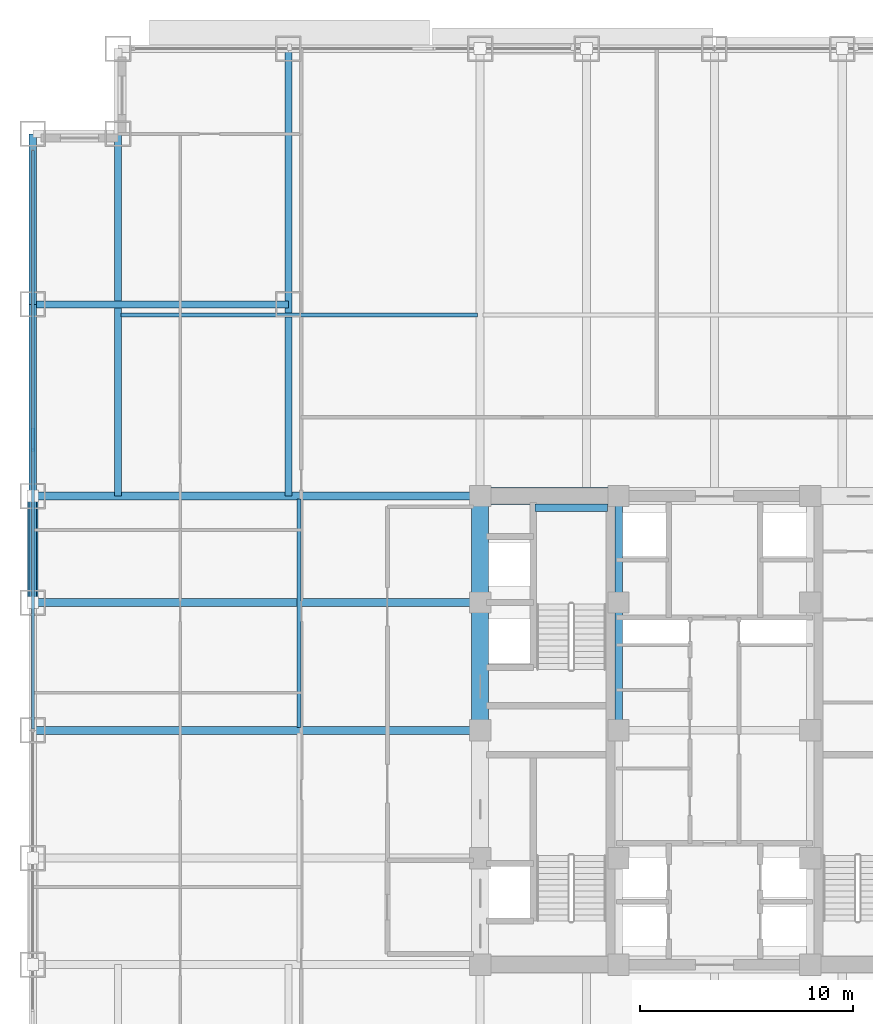
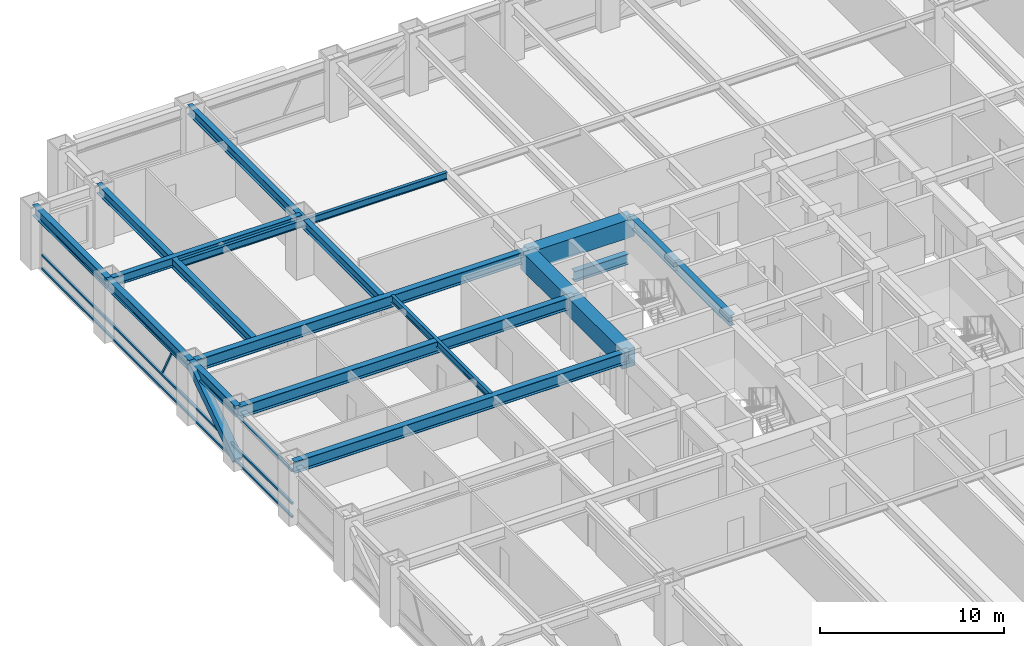
# One storey, part 9 of 32: 17 beams, 5 members, 1 element without a shape of its own.
"""IFC4 building model written with IfcOpenShell, lengths in metres."""

from ifc_helpers import new_model, si_unit, direction, frame, origin, origin_2d, place, context, subcontext, project, spatial, rectangle, hollow_rectangle, i_section, extrude, source, transform, mapped, material, material_profile, profile_set, type_object, element, aggregate, save


model = new_model("IFC4")

# Units and contexts
model_context = context("Model", 3, precision=1e-05, world=origin(), true_north=direction((0.0, 1.0)))
body_context = subcontext(model_context, "Body", "Model", "MODEL_VIEW")
ifc_project = project(units=[si_unit("LENGTHUNIT", "METRE"), si_unit("AREAUNIT", "SQUARE_METRE"), si_unit("VOLUMEUNIT", "CUBIC_METRE"), si_unit("PLANEANGLEUNIT", "RADIAN"), si_unit("MASSUNIT", "GRAM", prefix="KILO")], contexts=[model_context])

# Site, building, storey
site_placement = place(None, origin())
site = spatial("IfcSite", under=ifc_project, at=site_placement, CompositionType="ELEMENT")
building_placement = place(site_placement, origin())
building = spatial("IfcBuilding", under=site, at=building_placement, Name="Khorayat Bourse Tower", CompositionType="ELEMENT")
storey_placement = place(building_placement, frame((0.0, 0.0, 132.39990234375)))
storey = spatial("IfcBuildingStorey", under=building, at=storey_placement, Name="L30", CompositionType="ELEMENT", Elevation=132.39990234375)

# Beams
ifc_material_1 = material(Name="Concrete C72/90", Category="concrete")
ifc_material_profile_1 = material_profile(ifc_material_1, rectangle(XDim=0.800048828125, YDim=1.199951171875, at=origin_2d()), Name="RC 800x1200")
ifc_profile_set_1 = profile_set([ifc_material_profile_1], Name="Concrete C72/90")
beam_type_1 = type_object("IfcBeamType", Name="BM-COUP-1200", PredefinedType="BEAM", material=ifc_profile_set_1)
shared_shape_1 = source(origin(), body_context, "Body", "SweptSolid", [
    extrude(rectangle(XDim=0.800048828125, YDim=1.199951171875, at=origin_2d()), origin(), (0.0, 0.0, 1.0), 5.0),
])
beam_1_placement = place(storey_placement, frame((-11.0, 6.0, 3.239990234375), z_axis=(0.0, 1.0, 0.0), x_axis=(-1.0, 0.0, 0.0)))
element("IfcBeam", 1, at=beam_1_placement, inside=storey, type_object=beam_type_1, Name="L30 BM-COUP-1200 BM-L30-CRX-04", PredefinedType="BEAM", context=body_context, shape_type="MappedRepresentation", body=[
    mapped(shared_shape_1, transform((0.0, 0.0, 0.0), scale=1.0)),
])
shared_shape_2 = source(origin(), body_context, "Body", "SweptSolid", [
    extrude(rectangle(XDim=0.800048828125, YDim=1.199951171875, at=origin_2d()), origin(), (0.0, 0.0, 1.0), 6.0),
])
beam_2_placement = place(storey_placement, frame((-11.0, 0.0, 3.239990234375), z_axis=(0.0, 1.0, 0.0), x_axis=(-1.0, 0.0, 0.0)))
element("IfcBeam", 2, at=beam_2_placement, inside=storey, type_object=beam_type_1, Name="L30 BM-COUP-1200 BM-L30-CRX-03", PredefinedType="BEAM", context=body_context, shape_type="MappedRepresentation", body=[
    mapped(shared_shape_2, transform((0.0, 0.0, 0.0), scale=1.0)),
])
ifc_material_2 = material(Name="Steel ASTM A992 Grade 50", Category="steel")
ifc_material_profile_2 = material_profile(ifc_material_2, i_section(OverallWidth=0.35498046875, OverallDepth=0.695068359375, WebThickness=0.015380859375, FlangeThickness=0.02490234375, FilletRadius=0.01806640625, at=origin_2d()), Name="W690X217")
ifc_profile_set_2 = profile_set([ifc_material_profile_2], Name="Steel ASTM A992 Grade 50")
beam_type_2 = type_object("IfcBeamType", Name="BM-GIRD-690", PredefinedType="BEAM", material=ifc_profile_set_2)
shared_shape_3 = source(origin(), body_context, "Body", "SweptSolid", [
    extrude(i_section(OverallWidth=0.35498046875, OverallDepth=0.695068359375, WebThickness=0.015380859375, FlangeThickness=0.02490234375, FilletRadius=0.01806640625, at=origin_2d()), origin(), (0.0, 0.0, 1.0), 5.0),
])
beam_3_placement = place(storey_placement, frame((-4.5, 6.0, 3.49267578125), z_axis=(0.0, 1.0, 0.0), x_axis=(-1.0, 0.0, 0.0)))
element("IfcBeam", 3, at=beam_3_placement, inside=storey, type_object=beam_type_2, Name="L30 BM-GIRD-690 BM-L30-CRX-08", PredefinedType="BEAM", context=body_context, shape_type="MappedRepresentation", body=[
    mapped(shared_shape_3, transform((0.0, 0.0, 0.0), scale=1.0)),
])
shared_shape_4 = source(origin(), body_context, "Body", "SweptSolid", [
    extrude(i_section(OverallWidth=0.35498046875, OverallDepth=0.695068359375, WebThickness=0.015380859375, FlangeThickness=0.02490234375, FilletRadius=0.01806640625, at=origin_2d()), origin(), (0.0, 0.0, 1.0), 6.0),
])
beam_4_placement = place(storey_placement, frame((-4.5, 0.0, 3.49267578125), z_axis=(0.0, 1.0, 0.0), x_axis=(-1.0, 0.0, 0.0)))
element("IfcBeam", 4, at=beam_4_placement, inside=storey, type_object=beam_type_2, Name="L30 BM-GIRD-690 BM-L30-CRX-07", PredefinedType="BEAM", context=body_context, shape_type="MappedRepresentation", body=[
    mapped(shared_shape_4, transform((0.0, 0.0, 0.0), scale=1.0)),
])
shared_shape_5 = source(origin(), body_context, "Body", "SweptSolid", [
    extrude(rectangle(XDim=0.800048828125, YDim=1.199951171875, at=origin_2d()), origin(), (0.0, 0.0, 1.0), 6.5),
])
beam_5_placement = place(storey_placement, frame((-11.0, 11.0, 3.239990234375), z_axis=(1.0, 0.0, 0.0), x_axis=(0.0, 1.0, 0.0)))
element("IfcBeam", 5, at=beam_5_placement, inside=storey, type_object=beam_type_1, Name="L30 BM-COUP-1200 BM-L30-CRY-20", PredefinedType="BEAM", context=body_context, shape_type="MappedRepresentation", body=[
    mapped(shared_shape_5, transform((0.0, 0.0, 0.0), scale=1.0)),
])
shared_shape_6 = source(origin(), body_context, "Body", "SweptSolid", [
    extrude(i_section(OverallWidth=0.35498046875, OverallDepth=0.695068359375, WebThickness=0.015380859375, FlangeThickness=0.02490234375, FilletRadius=0.01806640625, at=origin_2d()), origin(), (0.0, 0.0, 1.0), 3.39990234375),
])
beam_6_placement = place(storey_placement, frame((-8.419921875, 10.449951171875, 1.502685546875), z_axis=(1.0, 0.0, 0.0), x_axis=(0.0, 1.0, 0.0)))
element("IfcBeam", 6, at=beam_6_placement, inside=storey, type_object=beam_type_2, Name="L30 BM-GIRD-690 BM-L30-ST2L", PredefinedType="BEAM", context=body_context, shape_type="MappedRepresentation", body=[
    mapped(shared_shape_6, transform((0.0, 0.0, 0.0), scale=1.0)),
])
ifc_material_profile_3 = material_profile(ifc_material_2, i_section(OverallWidth=0.35498046875, OverallDepth=0.695068359375, WebThickness=0.015380859375, FlangeThickness=0.02490234375, FilletRadius=0.01806640625, at=origin_2d()), Name="W690X217")
ifc_profile_set_3 = profile_set([ifc_material_profile_3], Name="Steel ASTM A992 Grade 50")
beam_type_3 = type_object("IfcBeamType", Name="BM-SPAN-690", PredefinedType="SPANDREL", material=ifc_profile_set_3)
shared_shape_7 = source(origin(), body_context, "Body", "SweptSolid", [
    extrude(i_section(OverallWidth=0.35498046875, OverallDepth=0.695068359375, WebThickness=0.015380859375, FlangeThickness=0.02490234375, FilletRadius=0.01806640625, at=origin_2d()), origin(), (0.0, 0.0, 1.0), 9.0),
])
beam_7_placement = place(storey_placement, frame((-32.0, 11.0, 3.49267578125), z_axis=(0.0, 1.0, 0.0), x_axis=(-1.0, 0.0, 0.0)))
element("IfcBeam", 7, at=beam_7_placement, inside=storey, type_object=beam_type_3, Name="L30 BM-SPAN-690 BM-L30-SPN-055", PredefinedType="SPANDREL", context=body_context, shape_type="MappedRepresentation", body=[
    mapped(shared_shape_7, transform((0.0, 0.0, 0.0), scale=1.0)),
])
shared_shape_8 = source(origin(), body_context, "Body", "SweptSolid", [
    extrude(i_section(OverallWidth=0.35498046875, OverallDepth=0.695068359375, WebThickness=0.015380859375, FlangeThickness=0.02490234375, FilletRadius=0.01806640625, at=origin_2d()), origin(), (0.0, 0.0, 1.0), 5.0),
])
beam_8_placement = place(storey_placement, frame((-32.0, 6.0, 3.49267578125), z_axis=(0.0, 1.0, 0.0), x_axis=(-1.0, 0.0, 0.0)))
element("IfcBeam", 8, at=beam_8_placement, inside=storey, type_object=beam_type_3, Name="L30 BM-SPAN-690 BM-L30-SPN-056", PredefinedType="SPANDREL", context=body_context, shape_type="MappedRepresentation", body=[
    mapped(shared_shape_8, transform((0.0, 0.0, 0.0), scale=1.0)),
])
ifc_material_profile_4 = material_profile(ifc_material_2, i_section(OverallWidth=0.324951171875, OverallDepth=0.615966796875, WebThickness=0.013916015625, FlangeThickness=0.021484375, FilletRadius=0.01611328125, at=origin_2d()), Name="W610X174")
ifc_profile_set_4 = profile_set([ifc_material_profile_4], Name="Steel ASTM A992 Grade 50")
beam_type_4 = type_object("IfcBeamType", Name="BM-GIRD-610", PredefinedType="BEAM", material=ifc_profile_set_4)
shared_shape_9 = source(origin(), body_context, "Body", "SweptSolid", [
    extrude(i_section(OverallWidth=0.324951171875, OverallDepth=0.615966796875, WebThickness=0.013916015625, FlangeThickness=0.021484375, FilletRadius=0.01611328125, at=origin_2d()), origin(), (0.0, 0.0, 1.0), 21.0),
])
beam_9_placement = place(storey_placement, frame((-20.0, 11.0, 3.531982421875), z_axis=(0.0, 1.0, 0.0), x_axis=(-1.0, 0.0, 0.0)))
element("IfcBeam", 9, at=beam_9_placement, inside=storey, type_object=beam_type_4, Name="L30 BM-GIRD-610 BM-L30-CNRY-085", PredefinedType="BEAM", context=body_context, shape_type="MappedRepresentation", body=[
    mapped(shared_shape_9, transform((0.0, 0.0, 0.0), scale=1.0)),
])
shared_shape_10 = source(origin(), body_context, "Body", "SweptSolid", [
    extrude(i_section(OverallWidth=0.324951171875, OverallDepth=0.615966796875, WebThickness=0.013916015625, FlangeThickness=0.021484375, FilletRadius=0.01611328125, at=origin_2d()), origin(), (0.0, 0.0, 1.0), 12.0),
])
beam_10_placement = place(storey_placement, frame((-32.0, 20.0, 3.531982421875), z_axis=(1.0, 0.0, 0.0), x_axis=(0.0, 1.0, 0.0)))
element("IfcBeam", 10, at=beam_10_placement, inside=storey, type_object=beam_type_4, Name="L30 BM-GIRD-610 BM-L30-CNRX-095", PredefinedType="BEAM", context=body_context, shape_type="MappedRepresentation", body=[
    mapped(shared_shape_10, transform((0.0, 0.0, 0.0), scale=1.0)),
])
ifc_material_profile_5 = material_profile(ifc_material_2, i_section(OverallWidth=0.194091796875, OverallDepth=0.468994140625, WebThickness=0.0126953125, FlangeThickness=0.0205078125, FilletRadius=0.012939453125, at=origin_2d()), Name="W460X106")
ifc_profile_set_5 = profile_set([ifc_material_profile_5], Name="Steel ASTM A992 Grade 50")
beam_type_5 = type_object("IfcBeamType", Name="BM-JOIST-460", PredefinedType="JOIST", material=ifc_profile_set_5)
shared_shape_11 = source(origin(), body_context, "Body", "SweptSolid", [
    extrude(i_section(OverallWidth=0.194091796875, OverallDepth=0.468994140625, WebThickness=0.0126953125, FlangeThickness=0.0205078125, FilletRadius=0.012939453125, at=origin_2d()), origin(), (0.0, 0.0, 1.0), 10.740234375),
])
beam_11_placement = place(storey_placement, frame((-19.5, 0.1298828125, 3.605712890625), z_axis=(0.0, 1.0, 0.0), x_axis=(-1.0, 0.0, 0.0)))
element("IfcBeam", 11, at=beam_11_placement, inside=storey, type_object=beam_type_5, Name="L30 BM-JOIST-460 BM-L30-JSTY-103", PredefinedType="JOIST", context=body_context, shape_type="MappedRepresentation", body=[
    mapped(shared_shape_11, transform((0.0, 0.0, 0.0), scale=1.0)),
])
shared_shape_12 = source(origin(), body_context, "Body", "SweptSolid", [
    extrude(i_section(OverallWidth=0.35498046875, OverallDepth=0.695068359375, WebThickness=0.015380859375, FlangeThickness=0.02490234375, FilletRadius=0.01806640625, at=origin_2d()), origin(), (0.0, 0.0, 1.0), 8.0),
])
beam_12_placement = place(storey_placement, frame((-32.0, 20.0, 3.49267578125), z_axis=(0.0, 1.0, 0.0), x_axis=(-1.0, 0.0, 0.0)))
element("IfcBeam", 12, at=beam_12_placement, inside=storey, type_object=beam_type_3, Name="L30 BM-SPAN-690 BM-L30-SPN-054", PredefinedType="SPANDREL", context=body_context, shape_type="MappedRepresentation", body=[
    mapped(shared_shape_12, transform((0.0, 0.0, 0.0), scale=1.0)),
])
ifc_material_profile_6 = material_profile(ifc_material_2, i_section(OverallWidth=0.381103515625, OverallDepth=0.77294921875, WebThickness=0.0166015625, FlangeThickness=0.027587890625, FilletRadius=0.01806640625, at=origin_2d()), Name="W760X257")
ifc_profile_set_6 = profile_set([ifc_material_profile_6], Name="Steel ASTM A992 Grade 50")
beam_type_6 = type_object("IfcBeamType", Name="BM-GIRD-760", PredefinedType="BEAM", material=ifc_profile_set_6)
shared_shape_13 = source(origin(), body_context, "Body", "SweptSolid", [
    extrude(i_section(OverallWidth=0.381103515625, OverallDepth=0.77294921875, WebThickness=0.0166015625, FlangeThickness=0.027587890625, FilletRadius=0.01806640625, at=origin_2d()), origin(), (0.0, 0.0, 1.0), 21.0),
])
for number, where, z_axis, x_axis, name in (
    (13, (-32.0, 0.0, 3.45361328125), (1.0, 0.0, 0.0), (0.0, 1.0, 0.0), "L30 BM-GIRD-760 BM-L30-RADX-079"),
    (14, (-32.0, 6.0, 3.45361328125), (1.0, 0.0, 0.0), (0.0, 1.0, 0.0), "L30 BM-GIRD-760 BM-L30-RADX-081"),
    (15, (-32.0, 11.0, 3.45361328125), (1.0, 0.0, 0.0), (0.0, 1.0, 0.0), "L30 BM-GIRD-760 BM-L30-RADX-083"),
):
    element("IfcBeam", number, at=place(storey_placement, frame(where, z_axis=z_axis, x_axis=x_axis)), inside=storey, type_object=beam_type_6, Name=name, PredefinedType="BEAM", context=body_context, shape_type="MappedRepresentation", body=[
        mapped(shared_shape_13, transform((0.0, 0.0, 0.0), scale=1.0)),
    ])
shared_shape_14 = source(origin(), body_context, "Body", "SweptSolid", [
    extrude(i_section(OverallWidth=0.324951171875, OverallDepth=0.615966796875, WebThickness=0.013916015625, FlangeThickness=0.021484375, FilletRadius=0.01611328125, at=origin_2d()), origin(), (0.0, 0.0, 1.0), 17.0),
])
beam_13_placement = place(storey_placement, frame((-28.0, 11.0, 3.531982421875), z_axis=(0.0, 1.0, 0.0), x_axis=(-1.0, 0.0, 0.0)))
element("IfcBeam", 16, at=beam_13_placement, inside=storey, type_object=beam_type_4, Name="L30 BM-GIRD-610 BM-L30-CNRY-089", PredefinedType="BEAM", context=body_context, shape_type="MappedRepresentation", body=[
    mapped(shared_shape_14, transform((0.0, 0.0, 0.0), scale=1.0)),
])
shared_shape_15 = source(origin(), body_context, "Body", "SweptSolid", [
    extrude(i_section(OverallWidth=0.194091796875, OverallDepth=0.468994140625, WebThickness=0.0126953125, FlangeThickness=0.0205078125, FilletRadius=0.012939453125, at=origin_2d()), origin(), (0.0, 0.0, 1.0), 16.740234375),
])
beam_14_placement = place(storey_placement, frame((-27.8701171875, 19.5, 3.605712890625), z_axis=(1.0, 0.0, 0.0), x_axis=(0.0, 1.0, 0.0)))
element("IfcBeam", 17, at=beam_14_placement, inside=storey, type_object=beam_type_5, Name="L30 BM-JOIST-460 BM-L30-JSTX-099", PredefinedType="JOIST", context=body_context, shape_type="MappedRepresentation", body=[
    mapped(shared_shape_15, transform((0.0, 0.0, 0.0), scale=1.0)),
])

# Member
ifc_material_3 = material(Name="Steel EN 10025-4 S460M", Category="steel")
ifc_material_profile_7 = material_profile(ifc_material_3, hollow_rectangle(XDim=0.5, YDim=0.5, WallThickness=0.028076171875, at=origin_2d()), Name="HSS 500x500x28")
ifc_profile_set_7 = profile_set([ifc_material_profile_7], Name="Steel EN 10025-4 S460M")
member_type_1 = type_object("IfcMemberType", Name="MBR-TUBE-500", PredefinedType="BRACE", material=ifc_profile_set_7)
shared_shape_16 = source(origin(), body_context, "Body", "SweptSolid", [
    extrude(hollow_rectangle(XDim=0.5, YDim=0.5, WallThickness=0.028076171875, at=origin_2d()), origin(), (0.0, 0.0, 1.0), 6.012939453125),
])
member_1_placement = place(storey_placement, frame((-32.0, 6.0, 0.25), z_axis=(0.0, 0.831531473026, 0.555477640745), x_axis=(-1.0, 0.0, 0.0)))
element("IfcMember", 18, at=member_1_placement, inside=storey, type_object=member_type_1, Name="L30 Perimeter Tube Brace 06", PredefinedType="BRACE", context=body_context, shape_type="MappedRepresentation", body=[
    mapped(shared_shape_16, transform((0.0, 0.0, 0.0), scale=1.0)),
])

# Curtain wall, members
ifc_material_4 = material(Name="Aluminium EN AW-6063 T6", Category="aluminium")
curtain_wall_type = type_object("IfcCurtainWallType", Name="CW-SYS-02", PredefinedType="NOTDEFINED", material=ifc_material_4)
curtain_wall_placement = place(storey_placement, origin())
curtain_wall = element("IfcCurtainWall", 19, at=curtain_wall_placement, inside=storey, type_object=curtain_wall_type, Name="L30 Curtain Wall CW-L30-W1", PredefinedType="NOTDEFINED")
ifc_material_profile_8 = material_profile(ifc_material_4, hollow_rectangle(XDim=0.139892578125, YDim=0.139892578125, WallThickness=0.006103515625, at=origin_2d()), Name="ALU 140x140x6")
ifc_profile_set_8 = profile_set([ifc_material_profile_8], Name="Aluminium EN AW-6063 T6")
member_type_2 = type_object("IfcMemberType", Name="CWT-HORZ-140", PredefinedType="USERDEFINED", material=ifc_profile_set_8)
shared_shape_17 = source(origin(), body_context, "Body", "SweptSolid", [
    extrude(hollow_rectangle(XDim=0.139892578125, YDim=0.139892578125, WallThickness=0.006103515625, at=origin_2d()), origin(), (0.0, 0.0, 1.0), 27.139892578125),
])
member_2_placement = place(storey_placement, frame((-32.0, 0.070068359375, 0.070068359375), z_axis=(0.0, 1.0, 0.0), x_axis=(-1.0, 0.0, 0.0)))
member_2 = element("IfcMember", 20, at=member_2_placement, type_object=member_type_2, Name="CW-L30-W1 Horizontal Transom 2-1", ObjectType="TRANSOM", PredefinedType="USERDEFINED", context=body_context, shape_type="MappedRepresentation", body=[
    mapped(shared_shape_17, transform((0.0, 0.0, 0.0), scale=1.0)),
])
member_3_placement = place(storey_placement, frame((-32.0, 0.070068359375, 0.9501953125), z_axis=(0.0, 1.0, 0.0), x_axis=(-1.0, 0.0, 0.0)))
member_3 = element("IfcMember", 21, at=member_3_placement, type_object=member_type_2, Name="CW-L30-W1 Horizontal Transom 2-2", ObjectType="TRANSOM", PredefinedType="USERDEFINED", context=body_context, shape_type="MappedRepresentation", body=[
    mapped(shared_shape_17, transform((0.0, 0.0, 0.0), scale=1.0)),
])
member_4_placement = place(storey_placement, frame((-32.0, 0.070068359375, 3.1201171875), z_axis=(0.0, 1.0, 0.0), x_axis=(-1.0, 0.0, 0.0)))
member_4 = element("IfcMember", 22, at=member_4_placement, type_object=member_type_2, Name="CW-L30-W1 Horizontal Transom 2-3", ObjectType="TRANSOM", PredefinedType="USERDEFINED", context=body_context, shape_type="MappedRepresentation", body=[
    mapped(shared_shape_17, transform((0.0, 0.0, 0.0), scale=1.0)),
])
ifc_material_profile_9 = material_profile(ifc_material_4, hollow_rectangle(XDim=0.1201171875, YDim=0.1201171875, WallThickness=0.0048828125, at=origin_2d()), Name="ALU 120x120x5")
ifc_profile_set_9 = profile_set([ifc_material_profile_9], Name="Aluminium EN AW-6063 T6")
member_type_3 = type_object("IfcMemberType", Name="CWM-DIAG-120", PredefinedType="MULLION", material=ifc_profile_set_9)
shared_shape_18 = source(origin(), body_context, "Body", "SweptSolid", [
    extrude(hollow_rectangle(XDim=0.1201171875, YDim=0.1201171875, WallThickness=0.0048828125, at=origin_2d()), origin(), (0.0, 0.0, 1.0), 2.11328125),
])
member_5_placement = place(storey_placement, frame((-32.0, 14.132080078125, 1.10009765625), z_axis=(0.0, -0.465694055905, 0.884945787207), x_axis=(1.0, 0.0, 0.0)))
member_5 = element("IfcMember", 23, at=member_5_placement, type_object=member_type_3, Name="CW-L30-W1 Faceted Diagonal Mullion 2", PredefinedType="MULLION", context=body_context, shape_type="MappedRepresentation", body=[
    mapped(shared_shape_18, transform((0.0, 0.0, 0.0), scale=1.0)),
])
aggregate(curtain_wall, [member_2, member_3, member_4, member_5])

save(model, "model.ifc")
